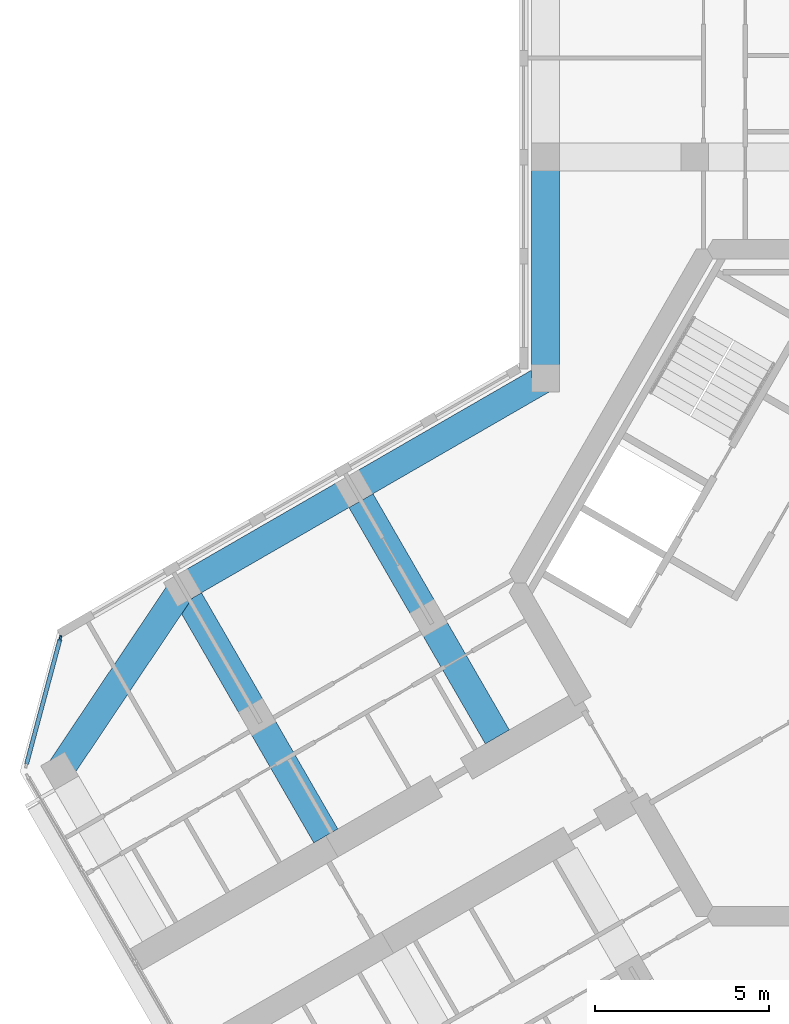
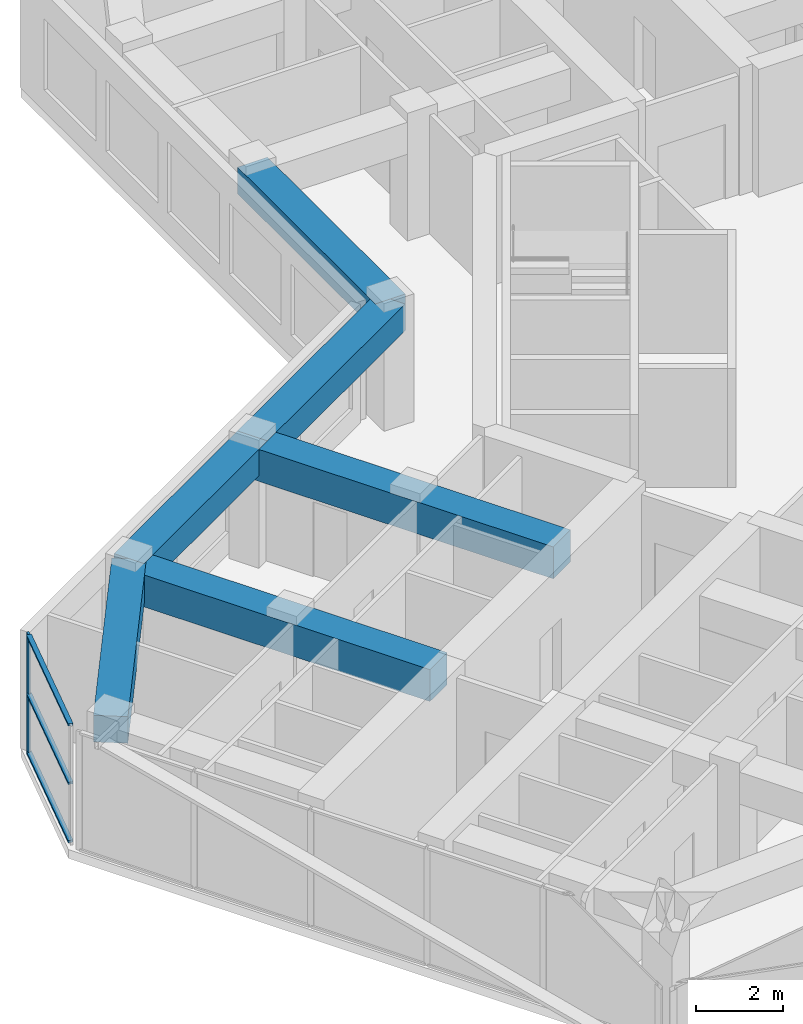
# One storey, part 3 of 14: 6 beams, 4 members, 1 element without a shape of its own.
"""IFC4 building model written with IfcOpenShell, lengths in metres."""

from ifc_helpers import new_model, si_unit, direction, frame, origin, origin_2d, place, context, subcontext, project, spatial, rectangle, extrude, material, material_profile, profile_set, type_object, element, aggregate, save


model = new_model("IFC4")

# Units and contexts
model_context = context("Model", 3, precision=1e-05, world=origin(), true_north=direction((0.0, 1.0)))
body_context = subcontext(model_context, "Body", "Model", "MODEL_VIEW")
ifc_project = project(units=[si_unit("LENGTHUNIT", "METRE"), si_unit("AREAUNIT", "SQUARE_METRE"), si_unit("VOLUMEUNIT", "CUBIC_METRE"), si_unit("PLANEANGLEUNIT", "RADIAN"), si_unit("MASSUNIT", "GRAM", prefix="KILO")], contexts=[model_context])

# Site, building, storey
site_placement = place(None, origin())
site = spatial("IfcSite", under=ifc_project, at=site_placement, CompositionType="ELEMENT")
building_placement = place(site_placement, origin())
building = spatial("IfcBuilding", under=site, at=building_placement, Name="Kosmar Iwan School Tower", CompositionType="ELEMENT")
storey_placement = place(building_placement, frame((0.0, 0.0, 281.800048828125)))
storey = spatial("IfcBuildingStorey", under=building, at=storey_placement, Name="L71", CompositionType="ELEMENT", Elevation=281.800048828125)

# Curtain wall, member
ifc_material_1 = material(Name="Dark glass in black aluminium frame", Category="aluminium")
curtain_wall_type = type_object("IfcCurtainWallType", Name="Chamfer curtain wall dark glass", PredefinedType="USERDEFINED", material=ifc_material_1)
curtain_wall_placement = place(storey_placement, origin())
curtain_wall = element("IfcCurtainWall", 1, at=curtain_wall_placement, inside=storey, type_object=curtain_wall_type, Name="Curtain wall L71-F12", ObjectType="FACETED CURTAIN WALL", PredefinedType="USERDEFINED")
ifc_material_2 = material(Name="Black anodised aluminium", Category="aluminium")
ifc_material_profile_1 = material_profile(ifc_material_2, rectangle(XDim=0.06005859375, YDim=0.159912109375, at=origin_2d()), Name="MULLION 60x160")
ifc_profile_set_1 = profile_set([ifc_material_profile_1], Name="Black anodised aluminium")
member_type_1 = type_object("IfcMemberType", Name="Mullion 60x160", PredefinedType="MULLION", material=ifc_profile_set_1)
member_1_placement = place(storey_placement, frame((-24.163818359375, -1.59814453125, 0.0), z_axis=(0.0, 0.0, 1.0), x_axis=(0.965925875495, -0.258818861462, 0.0)))
member_1 = element("IfcMember", 2, at=member_1_placement, type_object=member_type_1, Name="CW2 mullion 1", PredefinedType="MULLION", context=body_context, shape_type="SweptSolid", body=[
    extrude(rectangle(XDim=0.06005859375, YDim=0.159912109375, at=origin_2d()), origin(), (0.0, 0.0, 1.0), 3.349853515625),
])

# Beams
ifc_material_3 = material(Name="Concrete C50/60", Category="concrete")
ifc_material_profile_2 = material_profile(ifc_material_3, rectangle(XDim=0.800048828125, YDim=0.75, at=origin_2d()), Name="RC 800x750")
ifc_profile_set_2 = profile_set([ifc_material_profile_2], Name="Concrete C50/60")
beam_type_1 = type_object("IfcBeamType", Name="RC edge beam 800x750", PredefinedType="BEAM", material=ifc_profile_set_2)
beam_1_placement = place(storey_placement, frame((-10.199951171875, 5.888916015625, 2.974853515625), z_axis=(0.0, 1.0, 0.0), x_axis=(-1.0, 0.0, 0.0)))
element("IfcBeam", 3, at=beam_1_placement, inside=storey, type_object=beam_type_1, Name="Edge beam AL1", PredefinedType="BEAM", context=body_context, shape_type="SweptSolid", body=[
    extrude(rectangle(XDim=0.800048828125, YDim=0.75, at=origin_2d()), origin(), (0.0, 0.0, 1.0), 6.361083984375),
])
beam_2_placement = place(storey_placement, frame((-10.199951171875, 5.888916015625, 2.974853515625), z_axis=(-0.866030912664, -0.49999045822, 0.0), x_axis=(0.49999045822, -0.866030912664, 0.0)))
element("IfcBeam", 4, at=beam_2_placement, inside=storey, type_object=beam_type_1, Name="Edge beam BR1", PredefinedType="BEAM", context=body_context, shape_type="SweptSolid", body=[
    extrude(rectangle(XDim=0.800048828125, YDim=0.75, at=origin_2d()), origin(), (0.0, 0.0, 1.0), 6.36083984375),
])
beam_3_placement = place(storey_placement, frame((-15.708740234375, 2.70849609375, 2.974853515625), z_axis=(-0.866025820012, -0.499999279071, 0.0), x_axis=(0.499999279071, -0.866025820012, 0.0)))
element("IfcBeam", 5, at=beam_3_placement, inside=storey, type_object=beam_type_1, Name="Edge beam BR2", PredefinedType="BEAM", context=body_context, shape_type="SweptSolid", body=[
    extrude(rectangle(XDim=0.800048828125, YDim=0.75, at=origin_2d()), origin(), (0.0, 0.0, 1.0), 5.7001953125),
])
ifc_material_4 = material(Name="Concrete C50/60", Category="concrete")
ifc_material_profile_3 = material_profile(ifc_material_4, rectangle(XDim=0.800048828125, YDim=0.75, at=origin_2d()), Name="RC 800x750")
ifc_profile_set_3 = profile_set([ifc_material_profile_3], Name="Concrete C50/60")
beam_type_2 = type_object("IfcBeamType", Name="RC tip beam 800x750", PredefinedType="BEAM", material=ifc_profile_set_3)
beam_4_placement = place(storey_placement, frame((-20.645263671875, -0.1416015625, 2.974853515625), z_axis=(-0.556827604145, -0.83062808721, 0.0), x_axis=(0.83062808721, -0.556827604145, 0.0)))
element("IfcBeam", 6, at=beam_4_placement, inside=storey, type_object=beam_type_2, Name="Tip beam BR", PredefinedType="BEAM", context=body_context, shape_type="SweptSolid", body=[
    extrude(rectangle(XDim=0.800048828125, YDim=0.75, at=origin_2d()), origin(), (0.0, 0.0, 1.0), 6.3505859375),
])
ifc_material_5 = material(Name="Concrete C50/60", Category="concrete")
ifc_material_profile_4 = material_profile(ifc_material_5, rectangle(XDim=0.800048828125, YDim=0.89990234375, at=origin_2d()), Name="RC 800x900")
ifc_profile_set_4 = profile_set([ifc_material_profile_4], Name="Concrete C50/60")
beam_type_3 = type_object("IfcBeamType", Name="RC transverse beam 800x900", PredefinedType="BEAM", material=ifc_profile_set_4)
beam_5_placement = place(storey_placement, frame((-15.708740234375, 2.70849609375, 2.89990234375), z_axis=(0.499996545922, -0.866027397988, 0.0), x_axis=(0.866027397988, 0.499996545922, 0.0)))
element("IfcBeam", 7, at=beam_5_placement, inside=storey, type_object=beam_type_3, Name="Transverse beam BR1", PredefinedType="BEAM", context=body_context, shape_type="SweptSolid", body=[
    extrude(rectangle(XDim=0.800048828125, YDim=0.89990234375, at=origin_2d()), origin(), (0.0, 0.0, 1.0), 8.25),
])
beam_6_placement = place(storey_placement, frame((-20.645263671875, -0.1416015625, 2.89990234375), z_axis=(0.500009360108, -0.866019999656, 0.0), x_axis=(0.866019999656, 0.500009360108, 0.0)))
element("IfcBeam", 8, at=beam_6_placement, inside=storey, type_object=beam_type_3, Name="Transverse beam BR2", PredefinedType="BEAM", context=body_context, shape_type="SweptSolid", body=[
    extrude(rectangle(XDim=0.800048828125, YDim=0.89990234375, at=origin_2d()), origin(), (0.0, 0.0, 1.0), 8.249755859375),
])

# Member
ifc_material_6 = material(Name="Black anodised aluminium", Category="aluminium")
ifc_material_profile_5 = material_profile(ifc_material_6, rectangle(XDim=0.1201171875, YDim=0.06005859375, at=origin_2d()), Name="TRANSOM 60x120")
ifc_profile_set_5 = profile_set([ifc_material_profile_5], Name="Black anodised aluminium")
member_type_2 = type_object("IfcMemberType", Name="Transom 60x120", PredefinedType="USERDEFINED", material=ifc_profile_set_5)
member_2_placement = place(storey_placement, frame((-24.17138671875, -1.627197265625, 0.030029296875), z_axis=(-0.258843273983, -0.965919333854, 0.0), x_axis=(0.965919333854, -0.258843273983, 0.0)))
member_2 = element("IfcMember", 9, at=member_2_placement, type_object=member_type_2, Name="CW2 transom 1.1", ObjectType="TRANSOM", PredefinedType="USERDEFINED", context=body_context, shape_type="SweptSolid", body=[
    extrude(rectangle(XDim=0.1201171875, YDim=0.06005859375, at=origin_2d()), origin(), (0.0, 0.0, 1.0), 3.718994140625),
])

member_3_placement = place(storey_placement, frame((-24.17138671875, -1.627197265625, 1.675048828125), z_axis=(-0.258843273983, -0.965919333854, 0.0), x_axis=(0.965919333854, -0.258843273983, 0.0)))
member_3 = element("IfcMember", 10, at=member_3_placement, type_object=member_type_2, Name="CW2 transom 1.2", ObjectType="TRANSOM", PredefinedType="USERDEFINED", context=body_context, shape_type="SweptSolid", body=[
    extrude(rectangle(XDim=0.1201171875, YDim=0.06005859375, at=origin_2d()), origin(), (0.0, 0.0, 1.0), 3.718994140625),
])

member_4_placement = place(storey_placement, frame((-24.17138671875, -1.627197265625, 3.320068359375), z_axis=(-0.258843273983, -0.965919333854, 0.0), x_axis=(0.965919333854, -0.258843273983, 0.0)))
member_4 = element("IfcMember", 11, at=member_4_placement, type_object=member_type_2, Name="CW2 transom 1.3", ObjectType="TRANSOM", PredefinedType="USERDEFINED", context=body_context, shape_type="SweptSolid", body=[
    extrude(rectangle(XDim=0.1201171875, YDim=0.06005859375, at=origin_2d()), origin(), (0.0, 0.0, 1.0), 3.718994140625),
])

aggregate(curtain_wall, [member_1, member_2, member_3, member_4])

save(model, "model.ifc")
